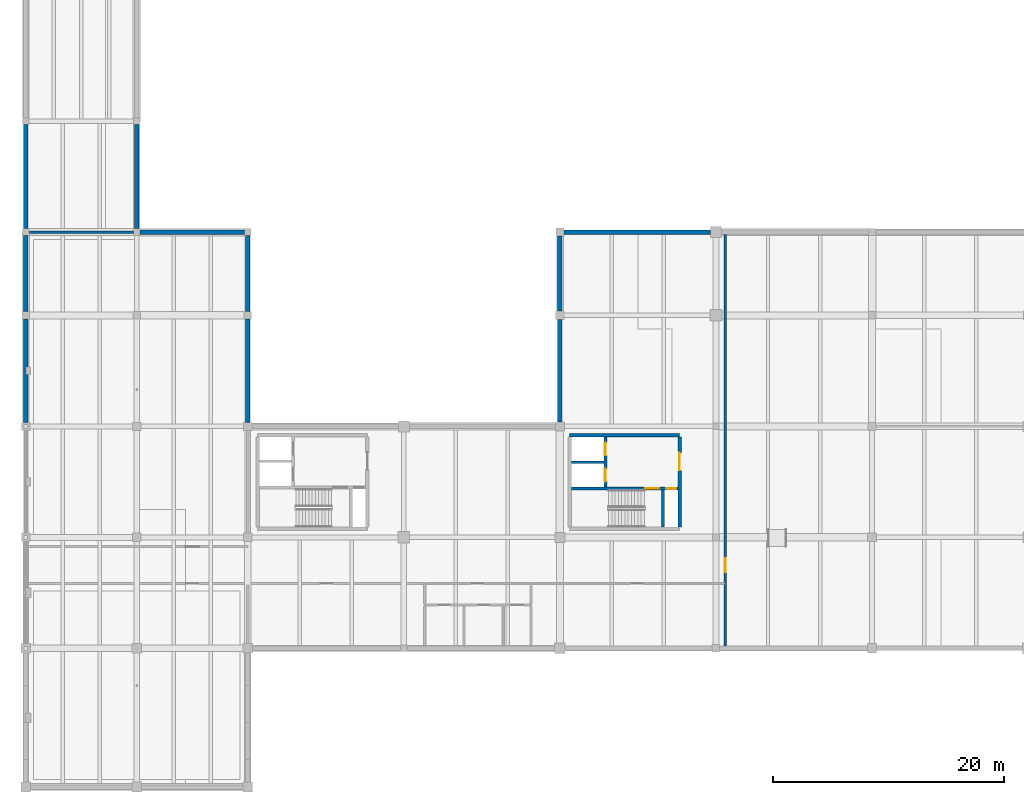
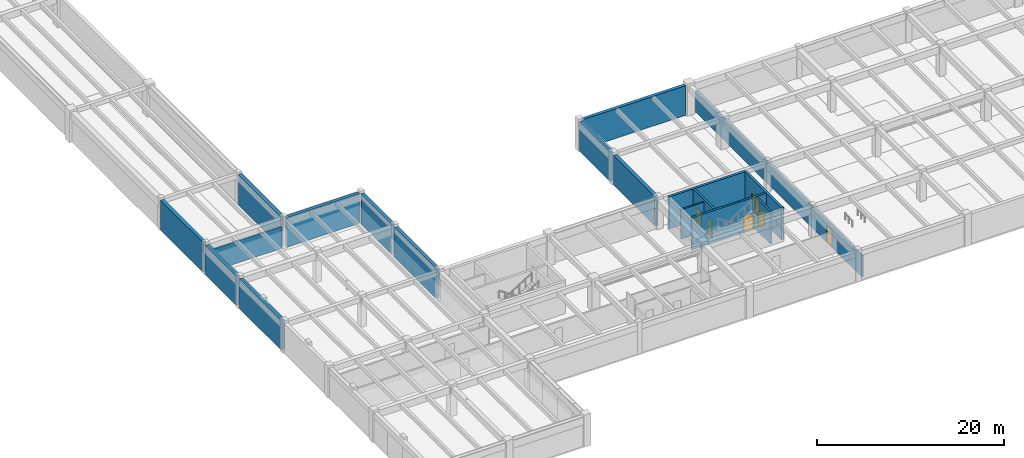
# One storey, part 10 of 28: 18 walls, 6 doors, 6 openings.
"""IFC4 building model written with IfcOpenShell, lengths in metres."""

from ifc_helpers import new_model, si_unit, direction, frame, frame_2d, origin, place, context, subcontext, project, spatial, rectangle, extrude, material, layer, layer_set, type_object, element, fill, save


model = new_model("IFC4")

# Units and contexts
model_context = context("Model", 3, precision=1e-05, world=origin(), true_north=direction((0.0, 1.0)))
body_context = subcontext(model_context, "Body", "Model", "MODEL_VIEW")
ifc_project = project(units=[si_unit("LENGTHUNIT", "METRE"), si_unit("AREAUNIT", "SQUARE_METRE"), si_unit("VOLUMEUNIT", "CUBIC_METRE"), si_unit("PLANEANGLEUNIT", "RADIAN"), si_unit("MASSUNIT", "GRAM", prefix="KILO")], contexts=[model_context])

# Site, building, storey
site_placement = place(None, origin())
site = spatial("IfcSite", under=ifc_project, at=site_placement, CompositionType="ELEMENT")
building_placement = place(site_placement, origin())
building = spatial("IfcBuilding", under=site, at=building_placement, Name="Fikremerkos Civic Library", CompositionType="ELEMENT")
storey_placement = place(building_placement, frame((0.0, 0.0, -4.199951171875)))
storey = spatial("IfcBuildingStorey", under=building, at=storey_placement, Name="B01", CompositionType="ELEMENT", Elevation=-4.199951171875)

# Walls
ifc_material_1 = material(Name="Concrete C40/50", Category="concrete")
ifc_layer_1 = layer(ifc_material_1, 0.39990234375, Name="Concrete C40/50")
ifc_layer_set_1 = layer_set([ifc_layer_1], Name="Concrete C40/50")
wall_type_1 = type_object("IfcWallType", Name="Basement retaining wall BRW-02 400", PredefinedType="USERDEFINED", material=ifc_layer_set_1)
wall_1_placement = place(storey_placement, frame((0.0, 31.548095703125, 0.0), z_axis=(0.0, 0.0, 1.0), x_axis=(0.0, 1.0, 0.0)))
element("IfcWall", 1, at=wall_1_placement, inside=storey, type_object=wall_type_1, Name="Basement retaining wall BRW-02 B01 #91", ObjectType="RETAINING WALL", PredefinedType="USERDEFINED", context=body_context, shape_type="SweptSolid", body=[
    extrude(rectangle(XDim=8.928955078125, YDim=0.39990234375, at=frame_2d((4.46435546875, 0.0))), origin(), (0.0, 0.0, 1.0), 3.8798828125),
])
wall_2_placement = place(storey_placement, frame((0.0, 41.123046875, 0.0), z_axis=(0.0, 0.0, 1.0), x_axis=(0.0, 1.0, 0.0)))
element("IfcWall", 2, at=wall_2_placement, inside=storey, type_object=wall_type_1, Name="Basement retaining wall BRW-02 B01 #92", ObjectType="RETAINING WALL", PredefinedType="USERDEFINED", context=body_context, shape_type="SweptSolid", body=[
    extrude(rectangle(XDim=6.578857421875, YDim=0.39990234375, at=frame_2d((3.28955078125, 0.0))), origin(), (0.0, 0.0, 1.0), 3.8798828125),
])
for number, where, z_axis, x_axis, name in (
    (3, (0.0, 48.298095703125, 0.0), (0.0, 0.0, 1.0), (0.0, 1.0, 0.0), "Basement retaining wall BRW-02 B01 #93"),
    (4, (9.60009765625, 57.326904296875, 0.0), (0.0, 0.0, 1.0), (0.0, -1.0, 0.0), "Basement retaining wall BRW-02 B01 #101"),
):
    element("IfcWall", number, at=place(storey_placement, frame(where, z_axis=z_axis, x_axis=x_axis)), inside=storey, type_object=wall_type_1, Name=name, ObjectType="RETAINING WALL", PredefinedType="USERDEFINED", context=body_context, shape_type="SweptSolid", body=[
        extrude(rectangle(XDim=9.02880859375, YDim=0.39990234375, at=frame_2d((4.514404296875, 0.0))), origin(), (0.0, 0.0, 1.0), 3.919921875),
    ])
wall_3_placement = place(storey_placement, frame((9.89794921875, 48.0, 0.0), z_axis=(0.0, 0.0, 1.0), x_axis=(1.0, 0.0, 0.0)))
element("IfcWall", 5, at=wall_3_placement, inside=storey, type_object=wall_type_1, Name="Basement retaining wall BRW-02 B01 #102", ObjectType="RETAINING WALL", PredefinedType="USERDEFINED", context=body_context, shape_type="SweptSolid", body=[
    extrude(rectangle(XDim=9.004150390625, YDim=0.39990234375, at=frame_2d((4.501953125, 0.0))), origin(), (0.0, 0.0, 1.0), 3.8798828125),
])
wall_4_placement = place(storey_placement, frame((19.199951171875, 47.701904296875, 0.0), z_axis=(0.0, 0.0, 1.0), x_axis=(0.0, -1.0, 0.0)))
element("IfcWall", 6, at=wall_4_placement, inside=storey, type_object=wall_type_1, Name="Basement retaining wall BRW-02 B01 #103", ObjectType="RETAINING WALL", PredefinedType="USERDEFINED", context=body_context, shape_type="SweptSolid", body=[
    extrude(rectangle(XDim=6.578857421875, YDim=0.39990234375, at=frame_2d((3.28955078125, 0.0))), origin(), (0.0, 0.0, 1.0), 3.8798828125),
])
wall_5_placement = place(storey_placement, frame((19.199951171875, 40.47705078125, 0.0), z_axis=(0.0, 0.0, 1.0), x_axis=(0.0, -1.0, 0.0)))
element("IfcWall", 7, at=wall_5_placement, inside=storey, type_object=wall_type_1, Name="Basement retaining wall BRW-02 B01 #104", ObjectType="RETAINING WALL", PredefinedType="USERDEFINED", context=body_context, shape_type="SweptSolid", body=[
    extrude(rectangle(XDim=8.928955078125, YDim=0.39990234375, at=frame_2d((4.46435546875, 0.0))), origin(), (0.0, 0.0, 1.0), 3.8798828125),
])
wall_6_placement = place(storey_placement, frame((46.199951171875, 31.597900390625, 0.0), z_axis=(0.0, 0.0, 1.0), x_axis=(0.0, 1.0, 0.0)))
element("IfcWall", 8, at=wall_6_placement, inside=storey, type_object=wall_type_1, Name="Basement retaining wall BRW-02 B01 #107", ObjectType="RETAINING WALL", PredefinedType="USERDEFINED", context=body_context, shape_type="SweptSolid", body=[
    extrude(rectangle(XDim=8.8291015625, YDim=0.39990234375, at=frame_2d((4.41455078125, 0.0))), origin(), (0.0, 0.0, 1.0), 3.8798828125),
])
wall_7_placement = place(storey_placement, frame((46.199951171875, 41.173095703125, 0.0), z_axis=(0.0, 0.0, 1.0), x_axis=(0.0, 1.0, 0.0)))
element("IfcWall", 9, at=wall_7_placement, inside=storey, type_object=wall_type_1, Name="Basement retaining wall BRW-02 B01 #108", ObjectType="RETAINING WALL", PredefinedType="USERDEFINED", context=body_context, shape_type="SweptSolid", body=[
    extrude(rectangle(XDim=6.47900390625, YDim=0.39990234375, at=frame_2d((3.239501953125, 0.0))), origin(), (0.0, 0.0, 1.0), 3.8798828125),
])
wall_8_placement = place(storey_placement, frame((46.548095703125, 48.0, 0.0), z_axis=(0.0, 0.0, 1.0), x_axis=(1.0, 0.0, 0.0)))
element("IfcWall", 10, at=wall_8_placement, inside=storey, type_object=wall_type_1, Name="Basement retaining wall BRW-02 B01 #109", ObjectType="RETAINING WALL", PredefinedType="USERDEFINED", context=body_context, shape_type="SweptSolid", body=[
    extrude(rectangle(XDim=12.678955078125, YDim=0.39990234375, at=frame_2d((6.33935546875, 0.0))), origin(), (0.0, 0.0, 1.0), 3.8798828125),
])
ifc_layer_2 = layer(ifc_material_1, 0.300048828125, Name="Concrete C40/50")
ifc_layer_set_2 = layer_set([ifc_layer_2], Name="Concrete C40/50")
wall_type_2 = type_object("IfcWallType", Name="Core shear wall CSW-01 300", PredefinedType="SHEAR", material=ifc_layer_set_2)
wall_9_placement = place(storey_placement, frame((47.050048828125, 30.449951171875, 0.0), z_axis=(0.0, 0.0, 1.0), x_axis=(1.0, 0.0, 0.0)))
element("IfcWall", 11, at=wall_9_placement, inside=storey, type_object=wall_type_2, Name="Core K3 north shear wall B01", PredefinedType="SHEAR", context=body_context, shape_type="SweptSolid", body=[
    extrude(rectangle(XDim=9.5, YDim=0.300048828125, at=frame_2d((4.75, 0.0))), origin(), (0.0, 0.0, 1.0), 4.199951171875),
])

# Wall, opening, door
wall_10_placement = place(storey_placement, frame((56.550048828125, 30.298095703125, 0.0), z_axis=(0.0, 0.0, 1.0), x_axis=(0.0, -1.0, 0.0)))
wall_10 = element("IfcWall", 12, at=wall_10_placement, inside=storey, type_object=wall_type_2, Name="Core K3 east shear wall B01", PredefinedType="SHEAR", context=body_context, shape_type="SweptSolid", body=[
    extrude(rectangle(XDim=7.796142578125, YDim=0.300048828125, at=frame_2d((3.89794921875, 0.0))), origin(), (0.0, 0.0, 1.0), 4.199951171875),
])
opening_1_placement = place(wall_10_placement, frame((1.39794921875, 0.0, 0.0)))
opening_1 = element("IfcOpeningElement", 13, at=opening_1_placement, cuts=wall_10, Name="Opening D080", PredefinedType="OPENING", context=body_context, shape_type="SweptSolid", body=[
    extrude(rectangle(XDim=1.5, YDim=2.25, at=frame_2d((0.75, 1.125))), frame((0.0, 0.159912109375, 0.0), z_axis=(0.0, -1.0, 0.0), x_axis=(1.0, 0.0, 0.0)), (0.0, 0.0, 1.0), 0.320068359375),
])
ifc_material_2 = material(Name="Hardwood timber and acoustic glass", Category="wood")
door_type_1 = type_object("IfcDoorType", Name="Pedestrian door DT-05 1500x2250", OperationType="NOTDEFINED", PredefinedType="DOOR", material=ifc_material_2)
door_1_placement = place(opening_1_placement, origin())
door_1 = element("IfcDoor", 14, at=door_1_placement, inside=storey, type_object=door_type_1, Name="Core K3 lobby fire door D080 B01", OperationType="SINGLE_SWING_LEFT", OverallHeight=2.25, OverallWidth=1.5, PredefinedType="DOOR", context=body_context, shape_type="SweptSolid", body=[
    extrude(rectangle(XDim=1.5, YDim=2.25, at=frame_2d((0.75, 1.125))), frame((0.0, 0.032470703125, 0.0), z_axis=(0.0, -1.0, 0.0), x_axis=(1.0, 0.0, 0.0)), (0.0, 0.0, 1.0), 0.06494140625),
])
fill(opening_1, door_1)

# Wall, openings, doors
ifc_layer_3 = layer(ifc_material_1, 0.260009765625, Name="Concrete C40/50")
ifc_layer_set_3 = layer_set([ifc_layer_3], Name="Concrete C40/50")
wall_type_3 = type_object("IfcWallType", Name="Core shear wall CSW-02 260", PredefinedType="SHEAR", material=ifc_layer_set_3)
wall_11_placement = place(storey_placement, frame((47.201904296875, 25.830078125, 0.0), z_axis=(0.0, 0.0, 1.0), x_axis=(1.0, 0.0, 0.0)))
wall_11 = element("IfcWall", 15, at=wall_11_placement, inside=storey, type_object=wall_type_3, Name="Core K3 stair compartment wall B01", PredefinedType="SHEAR", context=body_context, shape_type="SweptSolid", body=[
    extrude(rectangle(XDim=9.196044921875, YDim=0.260009765625, at=frame_2d((4.59814453125, 0.0))), origin(), (0.0, 0.0, 1.0), 4.199951171875),
])
opening_2_placement = place(wall_11_placement, frame((6.39794921875, 0.0, 0.0)))
opening_2 = element("IfcOpeningElement", 16, at=opening_2_placement, cuts=wall_11, Name="Opening D081", PredefinedType="OPENING", context=body_context, shape_type="SweptSolid", body=[
    extrude(rectangle(XDim=1.199951171875, YDim=2.199951171875, at=frame_2d((0.60009765625, 1.10009765625))), frame((0.0, 0.139892578125, 0.0), z_axis=(0.0, -1.0, 0.0), x_axis=(1.0, 0.0, 0.0)), (0.0, 0.0, 1.0), 0.280029296875),
])
opening_3_placement = place(wall_11_placement, frame((8.202880859375, 0.0, 0.0)))
opening_3 = element("IfcOpeningElement", 17, at=opening_3_placement, cuts=wall_11, Name="Opening D082", PredefinedType="OPENING", context=body_context, shape_type="SweptSolid", body=[
    extrude(rectangle(XDim=0.85009765625, YDim=2.050048828125, at=frame_2d((0.425048828125, 1.02490234375))), frame((0.0, 0.139892578125, 0.0), z_axis=(0.0, -1.0, 0.0), x_axis=(1.0, 0.0, 0.0)), (0.0, 0.0, 1.0), 0.280029296875),
])
door_type_2 = type_object("IfcDoorType", Name="Pedestrian door DT-06 1200x2200", OperationType="NOTDEFINED", PredefinedType="DOOR", material=ifc_material_2)
door_2_placement = place(opening_2_placement, origin())
door_2 = element("IfcDoor", 18, at=door_2_placement, inside=storey, type_object=door_type_2, Name="Core K3 stair fire door D081 B01", OperationType="SINGLE_SWING_LEFT", OverallHeight=2.199951171875, OverallWidth=1.199951171875, PredefinedType="DOOR", context=body_context, shape_type="SweptSolid", body=[
    extrude(rectangle(XDim=1.199951171875, YDim=2.199951171875, at=frame_2d((0.60009765625, 1.10009765625))), frame((0.0, 0.032470703125, 0.0), z_axis=(0.0, -1.0, 0.0), x_axis=(1.0, 0.0, 0.0)), (0.0, 0.0, 1.0), 0.06494140625),
])
fill(opening_2, door_2)
door_type_3 = type_object("IfcDoorType", Name="Pedestrian door DT-08 850x2050", OperationType="NOTDEFINED", PredefinedType="DOOR", material=ifc_material_2)
door_3_placement = place(opening_3_placement, origin())
door_3 = element("IfcDoor", 19, at=door_3_placement, inside=storey, type_object=door_type_3, Name="Core K3 riser access fire door D082 B01", OperationType="SINGLE_SWING_LEFT", OverallHeight=2.050048828125, OverallWidth=0.85009765625, PredefinedType="DOOR", context=body_context, shape_type="SweptSolid", body=[
    extrude(rectangle(XDim=0.85009765625, YDim=2.050048828125, at=frame_2d((0.425048828125, 1.02490234375))), frame((0.0, 0.032470703125, 0.0), z_axis=(0.0, -1.0, 0.0), x_axis=(1.0, 0.0, 0.0)), (0.0, 0.0, 1.0), 0.06494140625),
])
fill(opening_3, door_3)

# Wall
wall_12_placement = place(storey_placement, frame((55.1298828125, 22.501953125, 0.0), z_axis=(0.0, 0.0, 1.0), x_axis=(0.0, 1.0, 0.0)))
element("IfcWall", 20, at=wall_12_placement, inside=storey, type_object=wall_type_3, Name="Core K3 stair-riser shear wall B01", PredefinedType="SHEAR", context=body_context, shape_type="SweptSolid", body=[
    extrude(rectangle(XDim=3.196044921875, YDim=0.260009765625, at=frame_2d((1.59814453125, 0.0))), origin(), (0.0, 0.0, 1.0), 4.199951171875),
])

# Wall, openings, doors
wall_13_placement = place(storey_placement, frame((50.1298828125, 25.9619140625, 0.0), z_axis=(0.0, 0.0, 1.0), x_axis=(0.0, 1.0, 0.0)))
wall_13 = element("IfcWall", 21, at=wall_13_placement, inside=storey, type_object=wall_type_3, Name="Core K3 lift shaft front wall B01", PredefinedType="SHEAR", context=body_context, shape_type="SweptSolid", body=[
    extrude(rectangle(XDim=4.336181640625, YDim=0.260009765625, at=frame_2d((2.16796875, 0.0))), origin(), (0.0, 0.0, 1.0), 4.199951171875),
])
opening_4_placement = place(wall_13_placement, frame((0.468017578125, 0.0, 0.0)))
opening_4 = element("IfcOpeningElement", 22, at=opening_4_placement, cuts=wall_13, Name="Opening LD35", PredefinedType="OPENING", context=body_context, shape_type="SweptSolid", body=[
    extrude(rectangle(XDim=1.10009765625, YDim=2.14990234375, at=frame_2d((0.550048828125, 1.074951171875))), frame((0.0, 0.139892578125, 0.0), z_axis=(0.0, -1.0, 0.0), x_axis=(1.0, 0.0, 0.0)), (0.0, 0.0, 1.0), 0.280029296875),
])
opening_5_placement = place(wall_13_placement, frame((2.738037109375, 0.0, 0.0)))
opening_5 = element("IfcOpeningElement", 23, at=opening_5_placement, cuts=wall_13, Name="Opening LD36", PredefinedType="OPENING", context=body_context, shape_type="SweptSolid", body=[
    extrude(rectangle(XDim=1.10009765625, YDim=2.14990234375, at=frame_2d((0.550048828125, 1.074951171875))), frame((0.0, 0.139892578125, 0.0), z_axis=(0.0, -1.0, 0.0), x_axis=(1.0, 0.0, 0.0)), (0.0, 0.0, 1.0), 0.280029296875),
])
ifc_material_3 = material(Name="Brushed stainless steel", Category="steel")
door_type_4 = type_object("IfcDoorType", Name="Lift landing door LDT-01 1100x2150", OperationType="NOTDEFINED", PredefinedType="DOOR", material=ifc_material_3)
door_4_placement = place(opening_4_placement, origin())
door_4 = element("IfcDoor", 24, at=door_4_placement, inside=storey, type_object=door_type_4, Name="Lift LF05 sliding landing door LD35 B01", OperationType="SLIDING_TO_LEFT", OverallHeight=2.14990234375, OverallWidth=1.10009765625, PredefinedType="DOOR", context=body_context, shape_type="SweptSolid", body=[
    extrude(rectangle(XDim=1.10009765625, YDim=2.14990234375, at=frame_2d((0.550048828125, 1.074951171875))), frame((0.0, 0.032470703125, 0.0), z_axis=(0.0, -1.0, 0.0), x_axis=(1.0, 0.0, 0.0)), (0.0, 0.0, 1.0), 0.06494140625),
])
fill(opening_4, door_4)
door_5_placement = place(opening_5_placement, origin())
door_5 = element("IfcDoor", 25, at=door_5_placement, inside=storey, type_object=door_type_4, Name="Lift LF06 sliding landing door LD36 B01", OperationType="SLIDING_TO_LEFT", OverallHeight=2.14990234375, OverallWidth=1.10009765625, PredefinedType="DOOR", context=body_context, shape_type="SweptSolid", body=[
    extrude(rectangle(XDim=1.10009765625, YDim=2.14990234375, at=frame_2d((0.550048828125, 1.074951171875))), frame((0.0, 0.032470703125, 0.0), z_axis=(0.0, -1.0, 0.0), x_axis=(1.0, 0.0, 0.0)), (0.0, 0.0, 1.0), 0.06494140625),
])
fill(opening_5, door_5)

# Wall
ifc_material_4 = material(Name="Acoustic concrete blockwork", Category="masonry")
ifc_layer_4 = layer(ifc_material_4, 0.18994140625, Name="Acoustic concrete blockwork")
ifc_layer_set_4 = layer_set([ifc_layer_4], Name="Acoustic concrete blockwork")
wall_type_4 = type_object("IfcWallType", Name="Interior partition wall IPW-01 190", PredefinedType="PARTITIONING", material=ifc_layer_set_4)
wall_14_placement = place(storey_placement, frame((0.302978515625, 48.0, 0.0), z_axis=(0.0, 0.0, 1.0), x_axis=(1.0, 0.0, 0.0)))
element("IfcWall", 26, at=wall_14_placement, inside=storey, type_object=wall_type_4, Name="Interior wall IPW-01 B01 #49", PredefinedType="PARTITIONING", context=body_context, shape_type="SweptSolid", body=[
    extrude(rectangle(XDim=8.994140625, YDim=0.18994140625, at=frame_2d((4.4970703125, 0.0))), origin(), (0.0, 0.0, 1.0), 2.869873046875),
])

# Wall, opening, door
wall_15_placement = place(storey_placement, frame((60.5, 12.202880859375, 0.0), z_axis=(0.0, 0.0, 1.0), x_axis=(0.0, 1.0, 0.0)))
wall_15 = element("IfcWall", 27, at=wall_15_placement, inside=storey, type_object=wall_type_4, Name="Interior wall IPW-01 B01 #56", PredefinedType="PARTITIONING", context=body_context, shape_type="SweptSolid", body=[
    extrude(rectangle(XDim=35.59423828125, YDim=0.18994140625, at=frame_2d((17.797119140625, 0.0))), origin(), (0.0, 0.0, 1.0), 2.849853515625),
])
opening_6_placement = place(wall_15_placement, frame((6.39697265625, 0.0, 0.0)))
opening_6 = element("IfcOpeningElement", 28, at=opening_6_placement, cuts=wall_15, Name="Opening D153", PredefinedType="OPENING", context=body_context, shape_type="SweptSolid", body=[
    extrude(rectangle(XDim=1.199951171875, YDim=2.199951171875, at=frame_2d((0.60009765625, 1.10009765625))), frame((0.0, 0.10498046875, 0.0), z_axis=(0.0, -1.0, 0.0), x_axis=(1.0, 0.0, 0.0)), (0.0, 0.0, 1.0), 0.2099609375),
])
door_6_placement = place(opening_6_placement, origin())
door_6 = element("IfcDoor", 29, at=door_6_placement, inside=storey, type_object=door_type_2, Name="Interior door D153 B01", OperationType="SINGLE_SWING_LEFT", OverallHeight=2.199951171875, OverallWidth=1.199951171875, PredefinedType="DOOR", context=body_context, shape_type="SweptSolid", body=[
    extrude(rectangle(XDim=1.199951171875, YDim=2.199951171875, at=frame_2d((0.60009765625, 1.10009765625))), frame((0.0, 0.032470703125, 0.0), z_axis=(0.0, -1.0, 0.0), x_axis=(1.0, 0.0, 0.0)), (0.0, 0.0, 1.0), 0.06494140625),
])
fill(opening_6, door_6)

# Wall
ifc_material_5 = material(Name="Concrete C35/45", Category="concrete")
ifc_layer_5 = layer(ifc_material_5, 0.199951171875, Name="Concrete C35/45")
ifc_layer_set_5 = layer_set([ifc_layer_5], Name="Concrete C35/45")
wall_type_5 = type_object("IfcWallType", Name="Service duct wall SDW-01 200", PredefinedType="PLUMBINGWALL", material=ifc_layer_set_5)
wall_16_placement = place(storey_placement, frame((47.201904296875, 28.10009765625, 0.0), z_axis=(0.0, 0.0, 1.0), x_axis=(1.0, 0.0, 0.0)))
element("IfcWall", 30, at=wall_16_placement, inside=storey, type_object=wall_type_5, Name="Core K3 inter-lift shaft wall B01", PredefinedType="PLUMBINGWALL", context=body_context, shape_type="SweptSolid", body=[
    extrude(rectangle(XDim=2.796142578125, YDim=0.199951171875, at=frame_2d((1.39794921875, 0.0))), origin(), (0.0, 0.0, 1.0), 3.85986328125),
])

save(model, "model.ifc")
